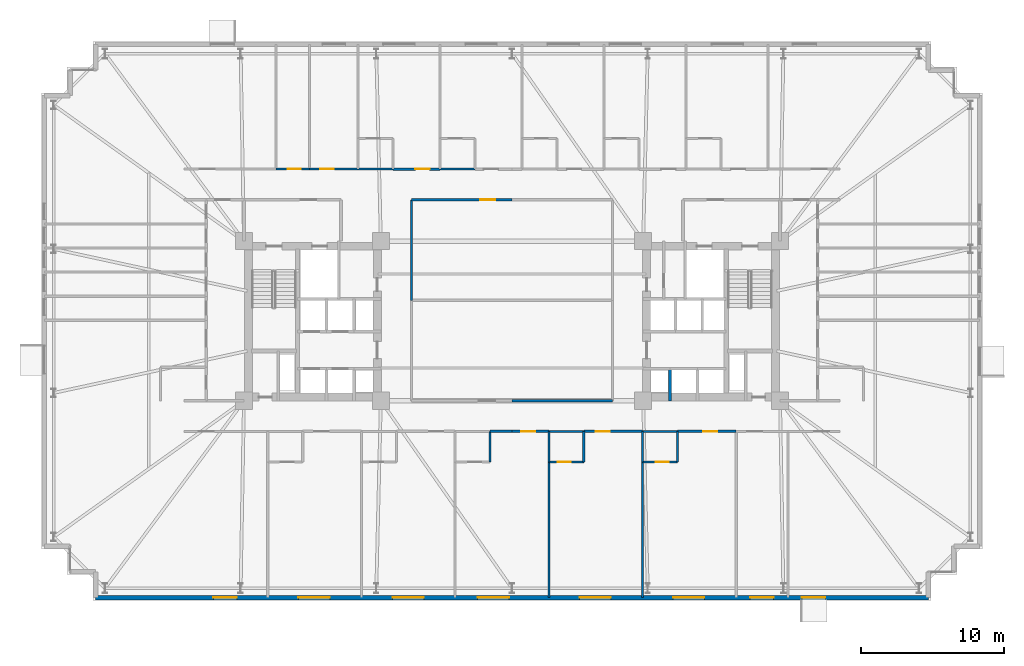
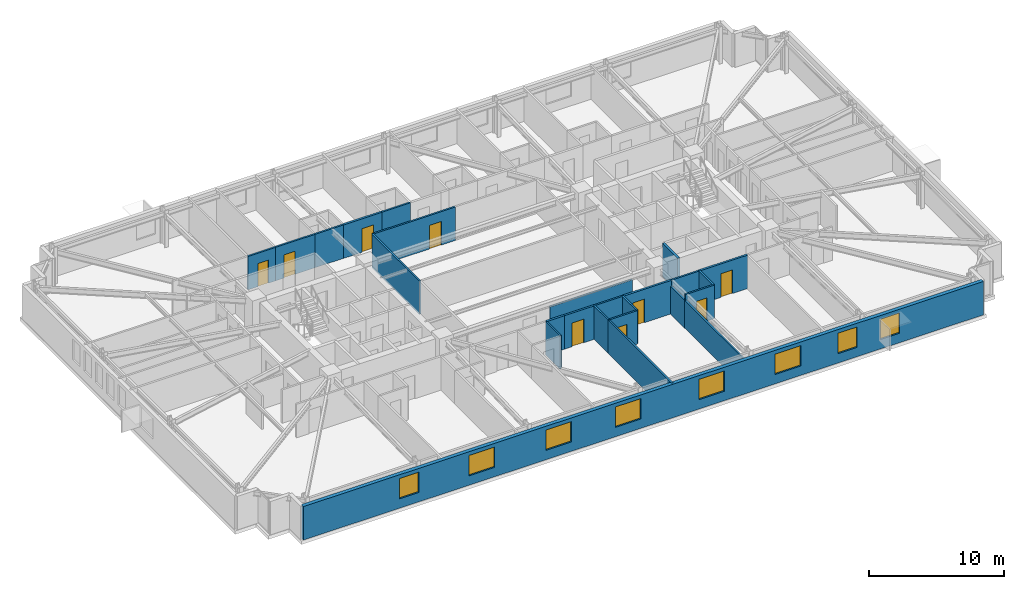
# One storey, part 16 of 21: 25 walls, 9 doors, 8 windows, 17 openings.
"""IFC4 building model written with IfcOpenShell, lengths in metres."""

from ifc_helpers import new_model, si_unit, direction, frame, frame_2d, origin, place, context, subcontext, project, spatial, rectangle, extrude, material, layer, layer_set, type_object, element, fill, save


model = new_model("IFC4")

# Units and contexts
model_context = context("Model", 3, precision=1e-05, world=origin(), true_north=direction((0.0, 1.0)))
body_context = subcontext(model_context, "Body", "Model", "MODEL_VIEW")
ifc_project = project(units=[si_unit("LENGTHUNIT", "METRE"), si_unit("AREAUNIT", "SQUARE_METRE"), si_unit("VOLUMEUNIT", "CUBIC_METRE"), si_unit("PLANEANGLEUNIT", "RADIAN"), si_unit("MASSUNIT", "GRAM", prefix="KILO")], contexts=[model_context])

# Site, building, storey
site_placement = place(None, origin())
site = spatial("IfcSite", under=ifc_project, at=site_placement, CompositionType="ELEMENT")
building_placement = place(site_placement, origin())
building = spatial("IfcBuilding", under=site, at=building_placement, Name="Qobustan Lattice House", CompositionType="ELEMENT")
storey_placement = place(building_placement, frame((0.0, 0.0, 57.14990234375)))
storey = spatial("IfcBuildingStorey", under=building, at=storey_placement, Name="L15", CompositionType="ELEMENT", Elevation=57.14990234375)

# Wall, openings, windows
ifc_material_1 = material(Name="Precast concrete C40/50", Category="concrete")
ifc_layer_1 = layer(ifc_material_1, 0.320068359375)
ifc_layer_set_1 = layer_set([ifc_layer_1], Name="Precast concrete C40/50")
wall_type_1 = type_object("IfcWallType", Name="WAL-EXT-STONE-320", PredefinedType="SOLIDWALL", material=ifc_layer_set_1)
wall_1_placement = place(storey_placement, frame((29.199951171875, -19.39990234375, 0.0), z_axis=(0.0, 0.0, 1.0), x_axis=(-1.0, 0.0, 0.0)))
wall_1 = element("IfcWall", 1, at=wall_1_placement, inside=storey, type_object=wall_type_1, Name="L15 exterior limestone-clad wall 20", PredefinedType="SOLIDWALL", context=body_context, shape_type="SweptSolid", body=[
    extrude(rectangle(XDim=58.39990234375, YDim=0.320068359375, at=frame_2d((29.199951171875, 0.0))), origin(), (0.0, 0.0, 1.0), 3.03515625),
])
opening_1_placement = place(wall_1_placement, frame((7.215087890625, 0.0, 0.85009765625)))
opening_1 = element("IfcOpeningElement", 2, at=opening_1_placement, cuts=wall_1, Name="Opening WN-09", PredefinedType="OPENING", context=body_context, shape_type="SweptSolid", body=[
    extrude(rectangle(XDim=1.64990234375, YDim=1.85009765625, at=frame_2d((0.824951171875, 0.925048828125))), frame((0.0, 0.169921875, 0.0), z_axis=(0.0, -1.0, 0.0), x_axis=(1.0, 0.0, 0.0)), (0.0, 0.0, 1.0), 0.340087890625),
])
opening_2_placement = place(wall_1_placement, frame((10.85498046875, 0.0, 0.85009765625)))
opening_2 = element("IfcOpeningElement", 3, at=opening_2_placement, cuts=wall_1, Name="Opening WN-09", PredefinedType="OPENING", context=body_context, shape_type="SweptSolid", body=[
    extrude(rectangle(XDim=1.64990234375, YDim=1.85009765625, at=frame_2d((0.824951171875, 0.925048828125))), frame((0.0, 0.169921875, 0.0), z_axis=(0.0, -1.0, 0.0), x_axis=(1.0, 0.0, 0.0)), (0.0, 0.0, 1.0), 0.340087890625),
])
opening_3_placement = place(wall_1_placement, frame((15.699951171875, 0.0, 0.85009765625)))
opening_3 = element("IfcOpeningElement", 4, at=opening_3_placement, cuts=wall_1, Name="Opening WN-03", PredefinedType="OPENING", context=body_context, shape_type="SweptSolid", body=[
    extrude(rectangle(XDim=2.199951171875, YDim=1.85009765625, at=frame_2d((1.10009765625, 0.925048828125))), frame((0.0, 0.169921875, 0.0), z_axis=(0.0, -1.0, 0.0), x_axis=(1.0, 0.0, 0.0)), (0.0, 0.0, 1.0), 0.340087890625),
])
opening_4_placement = place(wall_1_placement, frame((22.260009765625, 0.0, 0.85009765625)))
opening_4 = element("IfcOpeningElement", 5, at=opening_4_placement, cuts=wall_1, Name="Opening WN-03", PredefinedType="OPENING", context=body_context, shape_type="SweptSolid", body=[
    extrude(rectangle(XDim=2.199951171875, YDim=1.85009765625, at=frame_2d((1.10009765625, 0.925048828125))), frame((0.0, 0.169921875, 0.0), z_axis=(0.0, -1.0, 0.0), x_axis=(1.0, 0.0, 0.0)), (0.0, 0.0, 1.0), 0.340087890625),
])
opening_5_placement = place(wall_1_placement, frame((29.407958984375, 0.0, 0.85009765625)))
opening_5 = element("IfcOpeningElement", 6, at=opening_5_placement, cuts=wall_1, Name="Opening WN-03", PredefinedType="OPENING", context=body_context, shape_type="SweptSolid", body=[
    extrude(rectangle(XDim=2.199951171875, YDim=1.85009765625, at=frame_2d((1.10009765625, 0.925048828125))), frame((0.0, 0.169921875, 0.0), z_axis=(0.0, -1.0, 0.0), x_axis=(1.0, 0.0, 0.0)), (0.0, 0.0, 1.0), 0.340087890625),
])
opening_6_placement = place(wall_1_placement, frame((35.3798828125, 0.0, 0.85009765625)))
opening_6 = element("IfcOpeningElement", 7, at=opening_6_placement, cuts=wall_1, Name="Opening WN-03", PredefinedType="OPENING", context=body_context, shape_type="SweptSolid", body=[
    extrude(rectangle(XDim=2.199951171875, YDim=1.85009765625, at=frame_2d((1.10009765625, 0.925048828125))), frame((0.0, 0.169921875, 0.0), z_axis=(0.0, -1.0, 0.0), x_axis=(1.0, 0.0, 0.0)), (0.0, 0.0, 1.0), 0.340087890625),
])
opening_7_placement = place(wall_1_placement, frame((41.97998046875, 0.0, 0.85009765625)))
opening_7 = element("IfcOpeningElement", 8, at=opening_7_placement, cuts=wall_1, Name="Opening WN-03", PredefinedType="OPENING", context=body_context, shape_type="SweptSolid", body=[
    extrude(rectangle(XDim=2.199951171875, YDim=1.85009765625, at=frame_2d((1.10009765625, 0.925048828125))), frame((0.0, 0.169921875, 0.0), z_axis=(0.0, -1.0, 0.0), x_axis=(1.0, 0.0, 0.0)), (0.0, 0.0, 1.0), 0.340087890625),
])
opening_8_placement = place(wall_1_placement, frame((48.4951171875, 0.0, 0.85009765625)))
opening_8 = element("IfcOpeningElement", 9, at=opening_8_placement, cuts=wall_1, Name="Opening WN-09", PredefinedType="OPENING", context=body_context, shape_type="SweptSolid", body=[
    extrude(rectangle(XDim=1.64990234375, YDim=1.85009765625, at=frame_2d((0.824951171875, 0.925048828125))), frame((0.0, 0.169921875, 0.0), z_axis=(0.0, -1.0, 0.0), x_axis=(1.0, 0.0, 0.0)), (0.0, 0.0, 1.0), 0.340087890625),
])
ifc_material_2 = material(Name="Double-glazed low-E aluminium window", Category="aluminium")
window_type_1 = type_object("IfcWindowType", Name="WIN-STU-1650x1850", PartitioningType="SINGLE_PANEL", PredefinedType="WINDOW", material=ifc_material_2)
window_1_placement = place(opening_1_placement, origin())
window_1 = element("IfcWindow", 10, at=window_1_placement, inside=storey, type_object=window_type_1, Name="L15 Academic seminar room window", OverallHeight=1.85009765625, OverallWidth=1.64990234375, PartitioningType="SINGLE_PANEL", PredefinedType="WINDOW", context=body_context, shape_type="SweptSolid", body=[
    extrude(rectangle(XDim=1.64990234375, YDim=1.85009765625, at=frame_2d((0.824951171875, 0.925048828125))), frame((0.0, 0.030029296875, 0.0), z_axis=(0.0, -1.0, 0.0), x_axis=(1.0, 0.0, 0.0)), (0.0, 0.0, 1.0), 0.06005859375),
])
fill(opening_1, window_1)
window_2_placement = place(opening_2_placement, origin())
window_2 = element("IfcWindow", 11, at=window_2_placement, inside=storey, type_object=window_type_1, Name="L15 Group study room window", OverallHeight=1.85009765625, OverallWidth=1.64990234375, PartitioningType="SINGLE_PANEL", PredefinedType="WINDOW", context=body_context, shape_type="SweptSolid", body=[
    extrude(rectangle(XDim=1.64990234375, YDim=1.85009765625, at=frame_2d((0.824951171875, 0.925048828125))), frame((0.0, 0.030029296875, 0.0), z_axis=(0.0, -1.0, 0.0), x_axis=(1.0, 0.0, 0.0)), (0.0, 0.0, 1.0), 0.06005859375),
])
fill(opening_2, window_2)
window_3_placement = place(opening_8_placement, origin())
window_3 = element("IfcWindow", 12, at=window_3_placement, inside=storey, type_object=window_type_1, Name="L15 Focus study room S1 window", OverallHeight=1.85009765625, OverallWidth=1.64990234375, PartitioningType="SINGLE_PANEL", PredefinedType="WINDOW", context=body_context, shape_type="SweptSolid", body=[
    extrude(rectangle(XDim=1.64990234375, YDim=1.85009765625, at=frame_2d((0.824951171875, 0.925048828125))), frame((0.0, 0.030029296875, 0.0), z_axis=(0.0, -1.0, 0.0), x_axis=(1.0, 0.0, 0.0)), (0.0, 0.0, 1.0), 0.06005859375),
])
fill(opening_8, window_3)
ifc_material_3 = material(Name="Double-glazed low-E aluminium window", Category="aluminium")
window_type_2 = type_object("IfcWindowType", Name="WIN-WIDE-2200x1850", PartitioningType="SINGLE_PANEL", PredefinedType="WINDOW", material=ifc_material_3)
window_4_placement = place(opening_3_placement, origin())
window_4 = element("IfcWindow", 13, at=window_4_placement, inside=storey, type_object=window_type_2, Name="L15 Kitchenette and studio apartment L15-S6 window", OverallHeight=1.85009765625, OverallWidth=2.199951171875, PartitioningType="SINGLE_PANEL", PredefinedType="WINDOW", context=body_context, shape_type="SweptSolid", body=[
    extrude(rectangle(XDim=2.199951171875, YDim=1.85009765625, at=frame_2d((1.10009765625, 0.925048828125))), frame((0.0, 0.030029296875, 0.0), z_axis=(0.0, -1.0, 0.0), x_axis=(1.0, 0.0, 0.0)), (0.0, 0.0, 1.0), 0.06005859375),
])
fill(opening_3, window_4)
window_5_placement = place(opening_4_placement, origin())
window_5 = element("IfcWindow", 14, at=window_5_placement, inside=storey, type_object=window_type_2, Name="L15 Kitchenette and studio apartment L15-S5 window", OverallHeight=1.85009765625, OverallWidth=2.199951171875, PartitioningType="SINGLE_PANEL", PredefinedType="WINDOW", context=body_context, shape_type="SweptSolid", body=[
    extrude(rectangle(XDim=2.199951171875, YDim=1.85009765625, at=frame_2d((1.10009765625, 0.925048828125))), frame((0.0, 0.030029296875, 0.0), z_axis=(0.0, -1.0, 0.0), x_axis=(1.0, 0.0, 0.0)), (0.0, 0.0, 1.0), 0.06005859375),
])
fill(opening_4, window_5)
window_6_placement = place(opening_5_placement, origin())
window_6 = element("IfcWindow", 15, at=window_6_placement, inside=storey, type_object=window_type_2, Name="L15 Kitchenette and studio apartment L15-S4 window", OverallHeight=1.85009765625, OverallWidth=2.199951171875, PartitioningType="SINGLE_PANEL", PredefinedType="WINDOW", context=body_context, shape_type="SweptSolid", body=[
    extrude(rectangle(XDim=2.199951171875, YDim=1.85009765625, at=frame_2d((1.10009765625, 0.925048828125))), frame((0.0, 0.030029296875, 0.0), z_axis=(0.0, -1.0, 0.0), x_axis=(1.0, 0.0, 0.0)), (0.0, 0.0, 1.0), 0.06005859375),
])
fill(opening_5, window_6)
window_7_placement = place(opening_6_placement, origin())
window_7 = element("IfcWindow", 16, at=window_7_placement, inside=storey, type_object=window_type_2, Name="L15 Kitchenette and studio apartment L15-S3 window", OverallHeight=1.85009765625, OverallWidth=2.199951171875, PartitioningType="SINGLE_PANEL", PredefinedType="WINDOW", context=body_context, shape_type="SweptSolid", body=[
    extrude(rectangle(XDim=2.199951171875, YDim=1.85009765625, at=frame_2d((1.10009765625, 0.925048828125))), frame((0.0, 0.030029296875, 0.0), z_axis=(0.0, -1.0, 0.0), x_axis=(1.0, 0.0, 0.0)), (0.0, 0.0, 1.0), 0.06005859375),
])
fill(opening_6, window_7)
window_8_placement = place(opening_7_placement, origin())
window_8 = element("IfcWindow", 17, at=window_8_placement, inside=storey, type_object=window_type_2, Name="L15 Kitchenette and studio apartment L15-S2 window", OverallHeight=1.85009765625, OverallWidth=2.199951171875, PartitioningType="SINGLE_PANEL", PredefinedType="WINDOW", context=body_context, shape_type="SweptSolid", body=[
    extrude(rectangle(XDim=2.199951171875, YDim=1.85009765625, at=frame_2d((1.10009765625, 0.925048828125))), frame((0.0, 0.030029296875, 0.0), z_axis=(0.0, -1.0, 0.0), x_axis=(1.0, 0.0, 0.0)), (0.0, 0.0, 1.0), 0.06005859375),
])
fill(opening_7, window_8)

# Wall, opening, door
ifc_material_4 = material(Name="Gypsum fireboard acoustic partition", Category="gypsum")
ifc_layer_2 = layer(ifc_material_4, 0.179931640625)
ifc_layer_set_2 = layer_set([ifc_layer_2], Name="Gypsum fireboard acoustic partition")
wall_type_2 = type_object("IfcWallType", Name="WAL-FIRE-180", PredefinedType="PARTITIONING", material=ifc_layer_set_2)
wall_2_placement = place(storey_placement, frame((-8.35009765625, 10.64990234375, 0.0), z_axis=(0.0, 0.0, 1.0), x_axis=(1.0, 0.0, 0.0)))
wall_2 = element("IfcWall", 18, at=wall_2_placement, inside=storey, type_object=wall_type_2, Name="L15 interior partition 41", PredefinedType="PARTITIONING", context=body_context, shape_type="SweptSolid", body=[
    extrude(rectangle(XDim=3.300048828125, YDim=0.179931640625, at=frame_2d((1.64990234375, 0.0))), origin(), (0.0, 0.0, 1.0), 3.03515625),
])
opening_9_placement = place(wall_2_placement, frame((1.577392578125, 0.0, 0.0)))
opening_9 = element("IfcOpeningElement", 19, at=opening_9_placement, cuts=wall_2, Name="Opening FD-02", PredefinedType="OPENING", context=body_context, shape_type="SweptSolid", body=[
    extrude(rectangle(XDim=1.0, YDim=2.14990234375, at=frame_2d((0.5, 1.074951171875))), frame((0.0, 0.099853515625, 0.0), z_axis=(0.0, -1.0, 0.0), x_axis=(1.0, 0.0, 0.0)), (0.0, 0.0, 1.0), 0.199951171875),
])
ifc_material_5 = material(Name="Persian walnut timber and steel frame door", Category="steel")
door_type_1 = type_object("IfcDoorType", Name="DOR-UNIT-FD-1000x2150", OperationType="NOTDEFINED", PredefinedType="DOOR", material=ifc_material_5)
door_1_placement = place(opening_9_placement, origin())
door_1 = element("IfcDoor", 20, at=door_1_placement, inside=storey, type_object=door_type_1, Name="L15 North-west floor corridor to Kitchenette and studio apartment L15-N3 door", OperationType="SINGLE_SWING_LEFT", OverallHeight=2.14990234375, OverallWidth=1.0, PredefinedType="DOOR", context=body_context, shape_type="SweptSolid", body=[
    extrude(rectangle(XDim=1.0, YDim=2.14990234375, at=frame_2d((0.5, 1.074951171875))), frame((0.0, 0.02490234375, 0.0), z_axis=(0.0, -1.0, 0.0), x_axis=(1.0, 0.0, 0.0)), (0.0, 0.0, 1.0), 0.050048828125),
])
fill(opening_9, door_1)

# Wall
wall_3_placement = place(storey_placement, frame((0.0, -7.75, 0.0), z_axis=(0.0, 0.0, 1.0), x_axis=(-1.0, 0.0, 0.0)))
element("IfcWall", 21, at=wall_3_placement, inside=storey, type_object=wall_type_2, Name="L15 interior partition 64", PredefinedType="PARTITIONING", context=body_context, shape_type="SweptSolid", body=[
    extrude(rectangle(XDim=1.535888671875, YDim=0.179931640625, at=frame_2d((0.76806640625, 0.0))), origin(), (0.0, 0.0, 1.0), 3.03515625),
])

# Wall, opening, door
wall_4_placement = place(storey_placement, frame((2.5859375, -7.75, 0.0), z_axis=(0.0, 0.0, 1.0), x_axis=(-1.0, 0.0, 0.0)))
wall_4 = element("IfcWall", 22, at=wall_4_placement, inside=storey, type_object=wall_type_2, Name="L15 interior partition 69", PredefinedType="PARTITIONING", context=body_context, shape_type="SweptSolid", body=[
    extrude(rectangle(XDim=2.5859375, YDim=0.179931640625, at=frame_2d((1.29296875, 0.0))), origin(), (0.0, 0.0, 1.0), 3.03515625),
])
opening_10_placement = place(wall_4_placement, frame((0.95263671875, 0.0, 0.0)))
opening_10 = element("IfcOpeningElement", 23, at=opening_10_placement, cuts=wall_4, Name="Opening FD-02", PredefinedType="OPENING", context=body_context, shape_type="SweptSolid", body=[
    extrude(rectangle(XDim=1.0, YDim=2.14990234375, at=frame_2d((0.5, 1.074951171875))), frame((0.0, 0.099853515625, 0.0), z_axis=(0.0, -1.0, 0.0), x_axis=(1.0, 0.0, 0.0)), (0.0, 0.0, 1.0), 0.199951171875),
])
door_2_placement = place(opening_10_placement, origin())
door_2 = element("IfcDoor", 24, at=door_2_placement, inside=storey, type_object=door_type_1, Name="L15 South-east floor corridor to Kitchenette and studio apartment L15-S4 door", OperationType="SINGLE_SWING_LEFT", OverallHeight=2.14990234375, OverallWidth=1.0, PredefinedType="DOOR", context=body_context, shape_type="SweptSolid", body=[
    extrude(rectangle(XDim=1.0, YDim=2.14990234375, at=frame_2d((0.5, 1.074951171875))), frame((0.0, 0.02490234375, 0.0), z_axis=(0.0, -1.0, 0.0), x_axis=(1.0, 0.0, 0.0)), (0.0, 0.0, 1.0), 0.050048828125),
])
fill(opening_10, door_2)

wall_5_placement = place(storey_placement, frame((9.156982421875, -7.75, 0.0), z_axis=(0.0, 0.0, 1.0), x_axis=(-1.0, 0.0, 0.0)))
wall_5 = element("IfcWall", 25, at=wall_5_placement, inside=storey, type_object=wall_type_2, Name="L15 interior partition 70", PredefinedType="PARTITIONING", context=body_context, shape_type="SweptSolid", body=[
    extrude(rectangle(XDim=4.12109375, YDim=0.179931640625, at=frame_2d((2.060546875, 0.0))), origin(), (0.0, 0.0, 1.0), 3.03515625),
])
opening_11_placement = place(wall_5_placement, frame((2.2958984375, 0.0, 0.0)))
opening_11 = element("IfcOpeningElement", 26, at=opening_11_placement, cuts=wall_5, Name="Opening FD-02", PredefinedType="OPENING", context=body_context, shape_type="SweptSolid", body=[
    extrude(rectangle(XDim=1.0, YDim=2.14990234375, at=frame_2d((0.5, 1.074951171875))), frame((0.0, 0.099853515625, 0.0), z_axis=(0.0, -1.0, 0.0), x_axis=(1.0, 0.0, 0.0)), (0.0, 0.0, 1.0), 0.199951171875),
])
door_3_placement = place(opening_11_placement, origin())
door_3 = element("IfcDoor", 27, at=door_3_placement, inside=storey, type_object=door_type_1, Name="L15 South-east floor corridor to Kitchenette and studio apartment L15-S5 door", OperationType="SINGLE_SWING_RIGHT", OverallHeight=2.14990234375, OverallWidth=1.0, PredefinedType="DOOR", context=body_context, shape_type="SweptSolid", body=[
    extrude(rectangle(XDim=1.0, YDim=2.14990234375, at=frame_2d((0.5, 1.074951171875))), frame((0.0, 0.02490234375, 0.0), z_axis=(0.0, -1.0, 0.0), x_axis=(1.0, 0.0, 0.0)), (0.0, 0.0, 1.0), 0.050048828125),
])
fill(opening_11, door_3)

wall_6_placement = place(storey_placement, frame((15.72900390625, -7.75, 0.0), z_axis=(0.0, 0.0, 1.0), x_axis=(-1.0, 0.0, 0.0)))
wall_6 = element("IfcWall", 28, at=wall_6_placement, inside=storey, type_object=wall_type_2, Name="L15 interior partition 72", PredefinedType="PARTITIONING", context=body_context, shape_type="SweptSolid", body=[
    extrude(rectangle(XDim=4.1220703125, YDim=0.179931640625, at=frame_2d((2.06103515625, 0.0))), origin(), (0.0, 0.0, 1.0), 3.03515625),
])
opening_12_placement = place(wall_6_placement, frame((1.315673828125, 0.0, 0.0)))
opening_12 = element("IfcOpeningElement", 29, at=opening_12_placement, cuts=wall_6, Name="Opening FD-02", PredefinedType="OPENING", context=body_context, shape_type="SweptSolid", body=[
    extrude(rectangle(XDim=1.0, YDim=2.14990234375, at=frame_2d((0.5, 1.074951171875))), frame((0.0, 0.099853515625, 0.0), z_axis=(0.0, -1.0, 0.0), x_axis=(1.0, 0.0, 0.0)), (0.0, 0.0, 1.0), 0.199951171875),
])
door_4_placement = place(opening_12_placement, origin())
door_4 = element("IfcDoor", 30, at=door_4_placement, inside=storey, type_object=door_type_1, Name="L15 South-east floor corridor to Kitchenette and studio apartment L15-S6 door", OperationType="SINGLE_SWING_LEFT", OverallHeight=2.14990234375, OverallWidth=1.0, PredefinedType="DOOR", context=body_context, shape_type="SweptSolid", body=[
    extrude(rectangle(XDim=1.0, YDim=2.14990234375, at=frame_2d((0.5, 1.074951171875))), frame((0.0, 0.02490234375, 0.0), z_axis=(0.0, -1.0, 0.0), x_axis=(1.0, 0.0, 0.0)), (0.0, 0.0, 1.0), 0.050048828125),
])
fill(opening_12, door_4)

ifc_material_6 = material(Name="Acoustic twin-stud gypsum partition", Category="gypsum")
ifc_layer_3 = layer(ifc_material_6, 0.14990234375)
ifc_layer_set_3 = layer_set([ifc_layer_3], Name="Acoustic twin-stud gypsum partition")
wall_type_3 = type_object("IfcWallType", Name="WAL-PART-150", PredefinedType="PARTITIONING", material=ifc_layer_set_3)
wall_7_placement = place(storey_placement, frame((-14.199951171875, 10.64990234375, 0.0), z_axis=(0.0, 0.0, 1.0), x_axis=(1.0, 0.0, 0.0)))
wall_7 = element("IfcWall", 31, at=wall_7_placement, inside=storey, type_object=wall_type_3, Name="L15 interior partition 40", PredefinedType="PARTITIONING", context=body_context, shape_type="SweptSolid", body=[
    extrude(rectangle(XDim=3.39990234375, YDim=0.14990234375, at=frame_2d((1.699951171875, 0.0))), origin(), (0.0, 0.0, 1.0), 3.03515625),
])
opening_13_placement = place(wall_7_placement, frame((0.7412109375, 0.0, 0.0)))
opening_13 = element("IfcOpeningElement", 32, at=opening_13_placement, cuts=wall_7, Name="Opening ID-01", PredefinedType="OPENING", context=body_context, shape_type="SweptSolid", body=[
    extrude(rectangle(XDim=0.949951171875, YDim=2.10009765625, at=frame_2d((0.47509765625, 1.050048828125))), frame((0.0, 0.0849609375, 0.0), z_axis=(0.0, -1.0, 0.0), x_axis=(1.0, 0.0, 0.0)), (0.0, 0.0, 1.0), 0.169921875),
])
ifc_material_7 = material(Name="Persian walnut timber and steel frame door", Category="steel")
door_type_2 = type_object("IfcDoorType", Name="DOR-ROOM-950x2100", OperationType="NOTDEFINED", PredefinedType="DOOR", material=ifc_material_7)
door_5_placement = place(opening_13_placement, origin())
door_5 = element("IfcDoor", 33, at=door_5_placement, inside=storey, type_object=door_type_2, Name="L15 North-west floor corridor to Laundry utility room door", OperationType="SINGLE_SWING_RIGHT", OverallHeight=2.10009765625, OverallWidth=0.949951171875, PredefinedType="DOOR", context=body_context, shape_type="SweptSolid", body=[
    extrude(rectangle(XDim=0.949951171875, YDim=2.10009765625, at=frame_2d((0.47509765625, 1.050048828125))), frame((0.0, 0.02490234375, 0.0), z_axis=(0.0, -1.0, 0.0), x_axis=(1.0, 0.0, 0.0)), (0.0, 0.0, 1.0), 0.050048828125),
])
fill(opening_13, door_5)

wall_8_placement = place(storey_placement, frame((0.0, 8.5, 0.0), z_axis=(0.0, 0.0, 1.0), x_axis=(-1.0, 0.0, 0.0)))
wall_8 = element("IfcWall", 34, at=wall_8_placement, inside=storey, type_object=wall_type_3, Name="L15 interior partition 45", PredefinedType="PARTITIONING", context=body_context, shape_type="SweptSolid", body=[
    extrude(rectangle(XDim=7.050048828125, YDim=0.14990234375, at=frame_2d((3.52490234375, 0.0))), origin(), (0.0, 0.0, 1.0), 3.03515625),
])
opening_14_placement = place(wall_8_placement, frame((1.18505859375, 0.0, 0.0)))
opening_14 = element("IfcOpeningElement", 35, at=opening_14_placement, cuts=wall_8, Name="Opening ID-02", PredefinedType="OPENING", context=body_context, shape_type="SweptSolid", body=[
    extrude(rectangle(XDim=1.050048828125, YDim=2.14990234375, at=frame_2d((0.52490234375, 1.074951171875))), frame((0.0, 0.0849609375, 0.0), z_axis=(0.0, -1.0, 0.0), x_axis=(1.0, 0.0, 0.0)), (0.0, 0.0, 1.0), 0.169921875),
])
ifc_material_8 = material(Name="Persian walnut timber and steel frame door", Category="steel")
door_type_3 = type_object("IfcDoorType", Name="DOR-STUDY-1050x2150", OperationType="NOTDEFINED", PredefinedType="DOOR", material=ifc_material_8)
door_6_placement = place(opening_14_placement, origin())
door_6 = element("IfcDoor", 36, at=door_6_placement, inside=storey, type_object=door_type_3, Name="L15 North-west floor corridor to Central collaborative study room door", OperationType="SINGLE_SWING_LEFT", OverallHeight=2.14990234375, OverallWidth=1.050048828125, PredefinedType="DOOR", context=body_context, shape_type="SweptSolid", body=[
    extrude(rectangle(XDim=1.050048828125, YDim=2.14990234375, at=frame_2d((0.52490234375, 1.074951171875))), frame((0.0, 0.02490234375, 0.0), z_axis=(0.0, -1.0, 0.0), x_axis=(1.0, 0.0, 0.0)), (0.0, 0.0, 1.0), 0.050048828125),
])
fill(opening_14, door_6)

# Walls
wall_9_placement = place(storey_placement, frame((-7.050048828125, 8.5, 0.0), z_axis=(0.0, 0.0, 1.0), x_axis=(0.0, -1.0, 0.0)))
element("IfcWall", 37, at=wall_9_placement, inside=storey, type_object=wall_type_3, Name="L15 interior partition 78", PredefinedType="PARTITIONING", context=body_context, shape_type="SweptSolid", body=[
    extrude(rectangle(XDim=7.050048828125, YDim=0.14990234375, at=frame_2d((3.52490234375, 0.0))), origin(), (0.0, 0.0, 1.0), 3.03515625),
])
wall_10_placement = place(storey_placement, frame((2.5859375, -9.89990234375, 0.0), z_axis=(0.0, 0.0, 1.0), x_axis=(0.0, -1.0, 0.0)))
element("IfcWall", 38, at=wall_10_placement, inside=storey, type_object=wall_type_3, Name="L15 interior partition 144", PredefinedType="PARTITIONING", context=body_context, shape_type="SweptSolid", body=[
    extrude(rectangle(XDim=9.5, YDim=0.14990234375, at=frame_2d((4.75, 0.0))), origin(), (0.0, 0.0, 1.0), 3.03515625),
])
wall_11_placement = place(storey_placement, frame((9.156982421875, -9.89990234375, 0.0), z_axis=(0.0, 0.0, 1.0), x_axis=(0.0, -1.0, 0.0)))
element("IfcWall", 39, at=wall_11_placement, inside=storey, type_object=wall_type_3, Name="L15 interior partition 148", PredefinedType="PARTITIONING", context=body_context, shape_type="SweptSolid", body=[
    extrude(rectangle(XDim=9.5, YDim=0.14990234375, at=frame_2d((4.75, 0.0))), origin(), (0.0, 0.0, 1.0), 2.52001953125),
])
ifc_material_9 = material(Name="High-mass acoustic twin-stud partition", Category="gypsum")
ifc_layer_4 = layer(ifc_material_9, 0.1650390625)
ifc_layer_set_4 = layer_set([ifc_layer_4], Name="High-mass acoustic twin-stud partition")
wall_type_4 = type_object("IfcWallType", Name="WAL-PART-165", PredefinedType="PARTITIONING", material=ifc_layer_set_4)
wall_12_placement = place(storey_placement, frame((0.0, -5.60009765625, 0.0), z_axis=(0.0, 0.0, 1.0), x_axis=(1.0, 0.0, 0.0)))
element("IfcWall", 40, at=wall_12_placement, inside=storey, type_object=wall_type_4, Name="L15 interior partition 76", PredefinedType="PARTITIONING", context=body_context, shape_type="SweptSolid", body=[
    extrude(rectangle(XDim=7.050048828125, YDim=0.1650390625, at=frame_2d((3.52490234375, 0.0))), origin(), (0.0, 0.0, 1.0), 2.52001953125),
])
ifc_material_10 = material(Name="Concrete C40/50", Category="concrete")
ifc_layer_5 = layer(ifc_material_10, 0.199951171875)
ifc_layer_set_5 = layer_set([ifc_layer_5], Name="Concrete C40/50")
wall_type_5 = type_object("IfcWallType", Name="WAL-SHAFT-200", PredefinedType="PARTITIONING", material=ifc_layer_set_5)
wall_13_placement = place(storey_placement, frame((11.080078125, -5.60009765625, 0.0), z_axis=(0.0, 0.0, 1.0), x_axis=(0.0, 1.0, 0.0)))
element("IfcWall", 41, at=wall_13_placement, inside=storey, type_object=wall_type_5, Name="L15 interior partition 32", PredefinedType="PARTITIONING", context=body_context, shape_type="SweptSolid", body=[
    extrude(rectangle(XDim=2.25, YDim=0.199951171875, at=frame_2d((1.125, 0.0))), origin(), (0.0, 0.0, 1.0), 3.03515625),
])

# Wall, opening, door
ifc_material_11 = material(Name="Moisture-resistant acoustic plumbing wall", Category="gypsum")
ifc_layer_6 = layer(ifc_material_11, 0.14990234375)
ifc_layer_set_6 = layer_set([ifc_layer_6], Name="Moisture-resistant acoustic plumbing wall")
wall_type_6 = type_object("IfcWallType", Name="WAL-WET-150", PredefinedType="PLUMBINGWALL", material=ifc_layer_set_6)
wall_14_placement = place(storey_placement, frame((-16.550048828125, 10.64990234375, 0.0), z_axis=(0.0, 0.0, 1.0), x_axis=(1.0, 0.0, 0.0)))
wall_14 = element("IfcWall", 42, at=wall_14_placement, inside=storey, type_object=wall_type_6, Name="L15 interior partition 39", PredefinedType="PLUMBINGWALL", context=body_context, shape_type="SweptSolid", body=[
    extrude(rectangle(XDim=2.35009765625, YDim=0.14990234375, at=frame_2d((1.175048828125, 0.0))), origin(), (0.0, 0.0, 1.0), 3.03515625),
])
opening_15_placement = place(wall_14_placement, frame((0.833740234375, 0.0, 0.0)))
opening_15 = element("IfcOpeningElement", 43, at=opening_15_placement, cuts=wall_14, Name="Opening WD-01", PredefinedType="OPENING", context=body_context, shape_type="SweptSolid", body=[
    extrude(rectangle(XDim=0.89990234375, YDim=2.10009765625, at=frame_2d((0.449951171875, 1.050048828125))), frame((0.0, 0.0849609375, 0.0), z_axis=(0.0, -1.0, 0.0), x_axis=(1.0, 0.0, 0.0)), (0.0, 0.0, 1.0), 0.169921875),
])
ifc_material_12 = material(Name="Persian walnut timber and steel frame door", Category="steel")
door_type_4 = type_object("IfcDoorType", Name="DOR-WET-900x2100", OperationType="NOTDEFINED", PredefinedType="DOOR", material=ifc_material_12)
door_7_placement = place(opening_15_placement, origin())
door_7 = element("IfcDoor", 44, at=door_7_placement, inside=storey, type_object=door_type_4, Name="L15 North-west floor corridor to Accessible WC door", OperationType="SINGLE_SWING_LEFT", OverallHeight=2.10009765625, OverallWidth=0.89990234375, PredefinedType="DOOR", context=body_context, shape_type="SweptSolid", body=[
    extrude(rectangle(XDim=0.89990234375, YDim=2.10009765625, at=frame_2d((0.449951171875, 1.050048828125))), frame((0.0, 0.02490234375, 0.0), z_axis=(0.0, -1.0, 0.0), x_axis=(1.0, 0.0, 0.0)), (0.0, 0.0, 1.0), 0.050048828125),
])
fill(opening_15, door_7)

# Walls
for number, where, z_axis, x_axis, name in (
    (45, (-10.800048828125, 10.64990234375, 0.0), (0.0, 0.0, 1.0), (1.0, 0.0, 0.0), "L15 interior partition 42"),
    (46, (-5.050048828125, 10.64990234375, 0.0), (0.0, 0.0, 1.0), (1.0, 0.0, 0.0), "L15 interior partition 44"),
    (47, (5.035888671875, -7.75, 0.0), (0.0, 0.0, 1.0), (-1.0, 0.0, 0.0), "L15 interior partition 71"),
    (48, (11.60693359375, -7.75, 0.0), (0.0, 0.0, 1.0), (-1.0, 0.0, 0.0), "L15 interior partition 73"),
):
    element("IfcWall", number, at=place(storey_placement, frame(where, z_axis=z_axis, x_axis=x_axis)), inside=storey, type_object=wall_type_6, Name=name, PredefinedType="PLUMBINGWALL", context=body_context, shape_type="SweptSolid", body=[
        extrude(rectangle(XDim=2.449951171875, YDim=0.14990234375, at=frame_2d((1.22509765625, 0.0))), origin(), (0.0, 0.0, 1.0), 3.03515625),
    ])
for number, where, z_axis, x_axis, name in (
    (49, (-1.535888671875, -9.89990234375, 0.0), (0.0, 0.0, 1.0), (0.0, 1.0, 0.0), "L15 interior partition 143"),
    (50, (2.5859375, -7.75, 0.0), (0.0, 0.0, 1.0), (0.0, -1.0, 0.0), "L15 interior partition 145"),
):
    element("IfcWall", number, at=place(storey_placement, frame(where, z_axis=z_axis, x_axis=x_axis)), inside=storey, type_object=wall_type_6, Name=name, PredefinedType="PLUMBINGWALL", context=body_context, shape_type="SweptSolid", body=[
        extrude(rectangle(XDim=2.14990234375, YDim=0.14990234375, at=frame_2d((1.074951171875, 0.0))), origin(), (0.0, 0.0, 1.0), 3.03515625),
    ])

# Wall, opening, door
wall_15_placement = place(storey_placement, frame((2.5859375, -9.89990234375, 0.0), z_axis=(0.0, 0.0, 1.0), x_axis=(1.0, 0.0, 0.0)))
wall_15 = element("IfcWall", 51, at=wall_15_placement, inside=storey, type_object=wall_type_6, Name="L15 interior partition 146", PredefinedType="PLUMBINGWALL", context=body_context, shape_type="SweptSolid", body=[
    extrude(rectangle(XDim=2.449951171875, YDim=0.14990234375, at=frame_2d((1.22509765625, 0.0))), origin(), (0.0, 0.0, 1.0), 3.03515625),
])
opening_16_placement = place(wall_15_placement, frame((0.628662109375, 0.0, 0.0)))
opening_16 = element("IfcOpeningElement", 52, at=opening_16_placement, cuts=wall_15, Name="Opening WD-01", PredefinedType="OPENING", context=body_context, shape_type="SweptSolid", body=[
    extrude(rectangle(XDim=0.89990234375, YDim=2.10009765625, at=frame_2d((0.449951171875, 1.050048828125))), frame((0.0, 0.0849609375, 0.0), z_axis=(0.0, -1.0, 0.0), x_axis=(1.0, 0.0, 0.0)), (0.0, 0.0, 1.0), 0.169921875),
])
door_8_placement = place(opening_16_placement, origin())
door_8 = element("IfcDoor", 53, at=door_8_placement, inside=storey, type_object=door_type_4, Name="L15 Kitchenette and studio apartment L15-S5 to En-suite bathroom L15-S5 door", OperationType="SINGLE_SWING_RIGHT", OverallHeight=2.10009765625, OverallWidth=0.89990234375, PredefinedType="DOOR", context=body_context, shape_type="SweptSolid", body=[
    extrude(rectangle(XDim=0.89990234375, YDim=2.10009765625, at=frame_2d((0.449951171875, 1.050048828125))), frame((0.0, 0.02490234375, 0.0), z_axis=(0.0, -1.0, 0.0), x_axis=(1.0, 0.0, 0.0)), (0.0, 0.0, 1.0), 0.050048828125),
])
fill(opening_16, door_8)

# Walls
wall_16_placement = place(storey_placement, frame((5.035888671875, -9.89990234375, 0.0), z_axis=(0.0, 0.0, 1.0), x_axis=(0.0, 1.0, 0.0)))
element("IfcWall", 54, at=wall_16_placement, inside=storey, type_object=wall_type_6, Name="L15 interior partition 147", PredefinedType="PLUMBINGWALL", context=body_context, shape_type="SweptSolid", body=[
    extrude(rectangle(XDim=2.14990234375, YDim=0.14990234375, at=frame_2d((1.074951171875, 0.0))), origin(), (0.0, 0.0, 1.0), 3.03515625),
])
wall_17_placement = place(storey_placement, frame((9.156982421875, -7.75, 0.0), z_axis=(0.0, 0.0, 1.0), x_axis=(0.0, -1.0, 0.0)))
element("IfcWall", 55, at=wall_17_placement, inside=storey, type_object=wall_type_6, Name="L15 interior partition 149", PredefinedType="PLUMBINGWALL", context=body_context, shape_type="SweptSolid", body=[
    extrude(rectangle(XDim=2.14990234375, YDim=0.14990234375, at=frame_2d((1.074951171875, 0.0))), origin(), (0.0, 0.0, 1.0), 2.52001953125),
])

# Wall, opening, door
wall_18_placement = place(storey_placement, frame((9.156982421875, -9.89990234375, 0.0), z_axis=(0.0, 0.0, 1.0), x_axis=(1.0, 0.0, 0.0)))
wall_18 = element("IfcWall", 56, at=wall_18_placement, inside=storey, type_object=wall_type_6, Name="L15 interior partition 150", PredefinedType="PLUMBINGWALL", context=body_context, shape_type="SweptSolid", body=[
    extrude(rectangle(XDim=2.449951171875, YDim=0.14990234375, at=frame_2d((1.22509765625, 0.0))), origin(), (0.0, 0.0, 1.0), 3.03515625),
])
opening_17_placement = place(wall_18_placement, frame((0.921142578125, 0.0, 0.0)))
opening_17 = element("IfcOpeningElement", 57, at=opening_17_placement, cuts=wall_18, Name="Opening WD-01", PredefinedType="OPENING", context=body_context, shape_type="SweptSolid", body=[
    extrude(rectangle(XDim=0.89990234375, YDim=2.10009765625, at=frame_2d((0.449951171875, 1.050048828125))), frame((0.0, 0.0849609375, 0.0), z_axis=(0.0, -1.0, 0.0), x_axis=(1.0, 0.0, 0.0)), (0.0, 0.0, 1.0), 0.169921875),
])
door_9_placement = place(opening_17_placement, origin())
door_9 = element("IfcDoor", 58, at=door_9_placement, inside=storey, type_object=door_type_4, Name="L15 Kitchenette and studio apartment L15-S6 to En-suite bathroom L15-S6 door", OperationType="SINGLE_SWING_LEFT", OverallHeight=2.10009765625, OverallWidth=0.89990234375, PredefinedType="DOOR", context=body_context, shape_type="SweptSolid", body=[
    extrude(rectangle(XDim=0.89990234375, YDim=2.10009765625, at=frame_2d((0.449951171875, 1.050048828125))), frame((0.0, 0.02490234375, 0.0), z_axis=(0.0, -1.0, 0.0), x_axis=(1.0, 0.0, 0.0)), (0.0, 0.0, 1.0), 0.050048828125),
])
fill(opening_17, door_9)

# Wall
wall_19_placement = place(storey_placement, frame((11.60693359375, -9.89990234375, 0.0), z_axis=(0.0, 0.0, 1.0), x_axis=(0.0, 1.0, 0.0)))
element("IfcWall", 59, at=wall_19_placement, inside=storey, type_object=wall_type_6, Name="L15 interior partition 151", PredefinedType="PLUMBINGWALL", context=body_context, shape_type="SweptSolid", body=[
    extrude(rectangle(XDim=2.14990234375, YDim=0.14990234375, at=frame_2d((1.074951171875, 0.0))), origin(), (0.0, 0.0, 1.0), 3.03515625),
])

save(model, "model.ifc")
